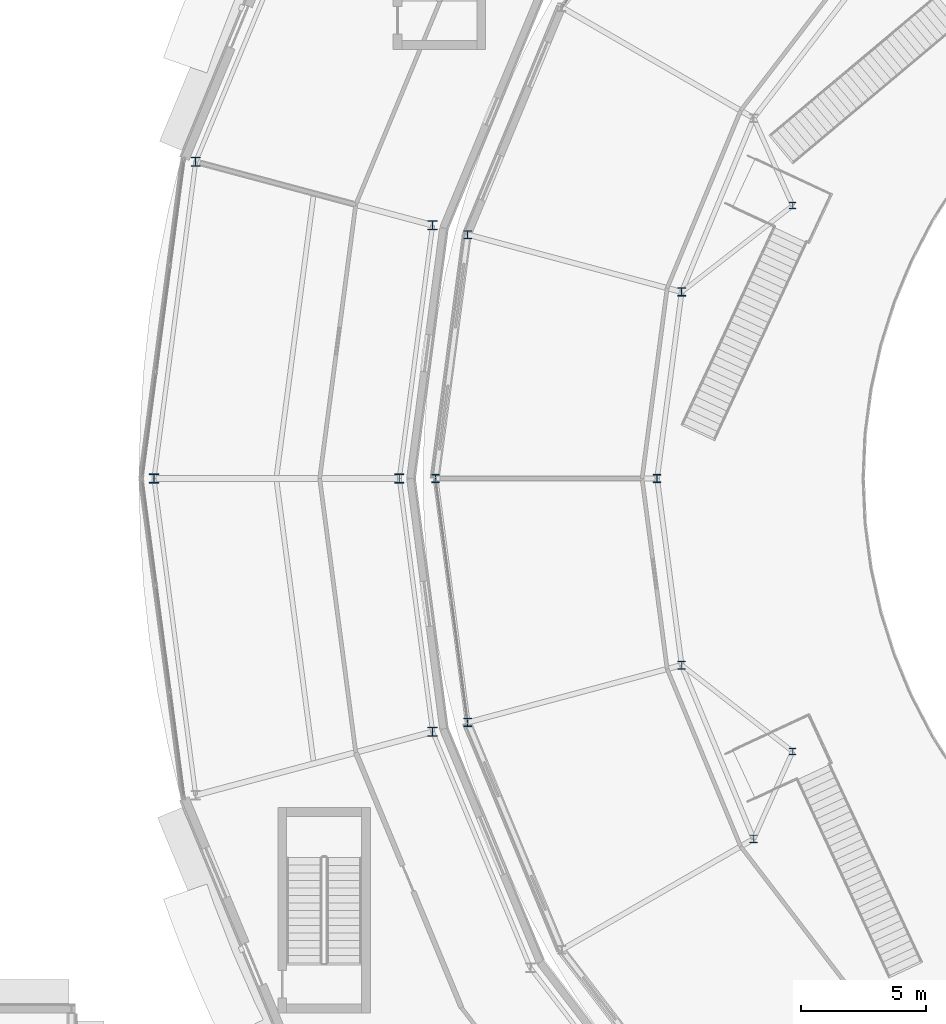
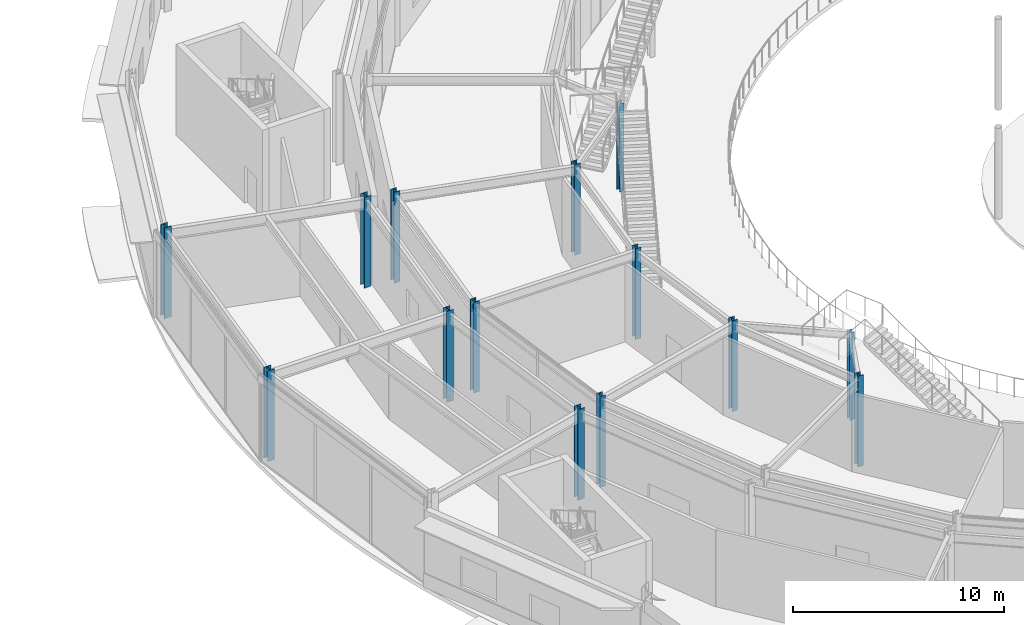
# One storey, part 4 of 168: 14 columns.
"""IFC4 building model written with IfcOpenShell, lengths in metres."""

import ifcopenshell
import ifcopenshell.guid

model = None  # the IFC model being written
_history = None  # IfcOwnerHistory: only IFC2X3 demands one
_inside = {}  # id of a spatial element -> (the spatial element, [elements in it])
_under = {}  # id of a project, library or spatial element -> (it, [spatial elements below it])
_declared = {}  # id of a project -> (the project, [libraries it declares])
_typed = {}  # id of a type object -> (the type object, [elements of that type])
_made_of = {}  # id of a material, layer set ... -> (it, [elements and type objects made of it])


def new_model(schema):
    """Start an empty IFC model of exactly this schema.

    Asked for "IFC4X3", IfcOpenShell would pick the latest addendum, in which some entities
    have other attributes; the version numbers below select the first issue.
    IFC2X3 requires an IfcOwnerHistory on every rooted entity: one is made here for all.
    """
    global model, _history
    if schema == "IFC4X3":
        model = ifcopenshell.file(schema_version=(4, 3, 0, 0))
    else:
        model = ifcopenshell.file(schema=schema)
    _inside.clear()
    _under.clear()
    _declared.clear()
    _typed.clear()
    _made_of.clear()
    _history = None
    if model.schema == "IFC2X3":
        org = make("IfcOrganization", Name="unknown")
        user = make(
            "IfcPersonAndOrganization",
            ThePerson=make("IfcPerson", FamilyName="unknown"),
            TheOrganization=org,
        )
        app = make(
            "IfcApplication",
            ApplicationDeveloper=org,
            Version="unknown",
            ApplicationFullName="unknown",
            ApplicationIdentifier="unknown",
        )
        _history = make(
            "IfcOwnerHistory",
            OwningUser=user,
            OwningApplication=app,
            ChangeAction="ADDED",
            CreationDate=0,
        )
    return model


def make(cls, **values):
    """One entity of the class cls with the attributes given. An attribute that is None is left unset."""
    return model.create_entity(
        cls, **{name: value for name, value in values.items() if value is not None}
    )


def rooted(cls, **values):
    """An entity with a GlobalId (a new one), such as an element, a storey or a relation."""
    return make(cls, GlobalId=ifcopenshell.guid.new(), OwnerHistory=_history, **values)


def si_unit(unit_type, name, prefix=None):
    """IfcSIUnit, for example si_unit("LENGTHUNIT", "METRE", prefix="MILLI")."""
    return make("IfcSIUnit", UnitType=unit_type, Prefix=prefix, Name=name)


def assignment(units):
    """IfcUnitAssignment: the units of a project."""
    return None if units is None else make("IfcUnitAssignment", Units=units)


def point(xyz):
    """IfcCartesianPoint."""
    return None if xyz is None else make("IfcCartesianPoint", Coordinates=xyz)


def direction(xyz):
    """IfcDirection."""
    return None if xyz is None else make("IfcDirection", DirectionRatios=xyz)


def frame(location, z_axis=None, x_axis=None):
    """IfcAxis2Placement3D, a coordinate frame: its origin and axes. An axis left out is left unset."""
    return make(
        "IfcAxis2Placement3D",
        Location=point(location),
        Axis=direction(z_axis),
        RefDirection=direction(x_axis),
    )


def frame_2d(location, x_axis=None):
    """IfcAxis2Placement2D, a coordinate frame in the plane: its origin and x axis."""
    return make(
        "IfcAxis2Placement2D", Location=point(location), RefDirection=direction(x_axis)
    )


def origin():
    """The frame at (0, 0, 0) with its axes left unset."""
    return frame((0.0, 0.0, 0.0))


def origin_2d():
    """The frame at (0, 0) in the plane with its x axis left unset."""
    return frame_2d((0.0, 0.0))


def place(relative_to, where):
    """IfcLocalPlacement: puts the frame where relative to a parent placement (None: the world)."""
    return make(
        "IfcLocalPlacement", PlacementRelTo=relative_to, RelativePlacement=where
    )


def context(
    kind, dimensions, precision=None, world=None, true_north=None, identifier=None
):
    """IfcGeometricRepresentationContext, for example the 3D "Model" context."""
    return make(
        "IfcGeometricRepresentationContext",
        ContextIdentifier=identifier,
        ContextType=kind,
        CoordinateSpaceDimension=dimensions,
        Precision=precision,
        WorldCoordinateSystem=world,
        TrueNorth=true_north,
    )


def subcontext(parent, identifier, kind, view, scale=None):
    """IfcGeometricRepresentationSubContext, for example "Body" below "Model"."""
    return make(
        "IfcGeometricRepresentationSubContext",
        ContextIdentifier=identifier,
        ContextType=kind,
        ParentContext=parent,
        TargetScale=scale,
        TargetView=view,
    )


def project(units=None, contexts=None):
    """IfcProject with its units and contexts."""
    return rooted(
        "IfcProject",
        Name="project",
        RepresentationContexts=contexts,
        UnitsInContext=assignment(units),
    )


def spatial(cls, under=None, at=None, **own):
    """A site, building, storey or space (cls), placed at a placement, below another one or the project."""
    s = rooted(cls, ObjectPlacement=at, **own)
    if under is not None:
        _under.setdefault(under.id(), (under, []))[1].append(s)
    return s


def profile(cls, at=None, kind="AREA", **sizes):
    """A parametric profile (cls). Its sizes go by their IFC names, for example OverallWidth=200.0."""
    return make(cls, ProfileType=kind, Position=at, **sizes)


def i_section(**sizes):
    """IfcIShapeProfileDef."""
    return profile("IfcIShapeProfileDef", **sizes)


def extrude(swept, where, along, depth):
    """IfcExtrudedAreaSolid: the profile swept, set in the frame where, extruded along a direction by depth."""
    return make(
        "IfcExtrudedAreaSolid",
        SweptArea=swept,
        Position=where,
        ExtrudedDirection=direction(along),
        Depth=depth,
    )


def shape(context_of_items, identifier, shape_type, items):
    """IfcShapeRepresentation: the items that make up one representation, for example the "Body"."""
    return make(
        "IfcShapeRepresentation",
        ContextOfItems=context_of_items,
        RepresentationIdentifier=identifier,
        RepresentationType=shape_type,
        Items=items,
    )


def material(Name=None, Category=None):
    """IfcMaterial."""
    return make("IfcMaterial", Name=Name, Category=Category)


def material_profile(
    of_material, cross_section, Name=None, Category=None, Priority=None
):
    """IfcMaterialProfile: a cross section and its material."""
    return make(
        "IfcMaterialProfile",
        Name=Name,
        Material=of_material,
        Profile=cross_section,
        Priority=Priority,
        Category=Category,
    )


def profile_set(profiles, Name=None, composite=None):
    """IfcMaterialProfileSet."""
    return make(
        "IfcMaterialProfileSet",
        Name=Name,
        MaterialProfiles=profiles,
        CompositeProfile=composite,
    )


def made_of(thing, what):
    """Note that an element or type object is made of a material, layer set ...; save() writes the relation."""
    if what is not None:
        _made_of.setdefault(what.id(), (what, []))[1].append(thing)
    return thing


def type_object(cls, material=None, **own):
    """A type object (cls), such as IfcWallType, which elements share."""
    return made_of(rooted(cls, **own), material)


def element(
    cls,
    number,
    at=None,
    inside=None,
    cuts=None,
    type_object=None,
    material=None,
    context=None,
    identifier="Body",
    shape_type=None,
    held_by="IfcProductDefinitionShape",
    body=None,
    shapes=None,
    **own,
):
    """One element of the class cls, such as IfcWall. Its Tag is "e" and its number.

    at: its placement. inside: the storey or other place that contains it. cuts: it is an
    opening in that element (IfcRelVoidsElement). A single representation is given by context,
    identifier, shape_type and body (its items); several are given by shapes. held_by: the class
    of the entity that holds the representations. save() writes the other relations.
    """
    e = rooted(cls, Tag="e%d" % number, ObjectPlacement=at, **own)
    if body is not None:
        shapes = [shape(context, identifier, shape_type, body)]
    if shapes is not None:
        e.Representation = make(held_by, Representations=shapes)
    if inside is not None:
        _inside.setdefault(inside.id(), (inside, []))[1].append(e)
    if cuts is not None:
        rooted(
            "IfcRelVoidsElement", RelatingBuildingElement=cuts, RelatedOpeningElement=e
        )
    if type_object is not None:
        _typed.setdefault(type_object.id(), (type_object, []))[1].append(e)
    return made_of(e, material)


def aggregate(whole, parts):
    """IfcRelAggregates: a whole, such as a stair, and the parts it consists of."""
    return rooted("IfcRelAggregates", RelatingObject=whole, RelatedObjects=parts)


def save(model, path):
    """Write the relations noted so far, then the file.

    IfcRelAggregates (storeys below a building ...), IfcRelContainedInSpatialStructure (elements
    in a storey), IfcRelDefinesByType, IfcRelAssociatesMaterial and IfcRelDeclares: one each for
    every whole, place, type object, material and project.
    """
    for whole, parts in _under.values():
        aggregate(whole, parts)
    for where, things in _inside.values():
        rooted(
            "IfcRelContainedInSpatialStructure",
            RelatedElements=things,
            RelatingStructure=where,
        )
    for kind, things in _typed.values():
        rooted("IfcRelDefinesByType", RelatedObjects=things, RelatingType=kind)
    for what, things in _made_of.values():
        rooted("IfcRelAssociatesMaterial", RelatedObjects=things, RelatingMaterial=what)
    for by, libraries in _declared.values():
        rooted("IfcRelDeclares", RelatingContext=by, RelatedDefinitions=libraries)
    model.write(path)


model = new_model("IFC4")

# Units and contexts
model_context = context("Model", 3, precision=1e-05, world=origin(), true_north=direction((0.0, 1.0)))
body_context = subcontext(model_context, "Body", "Model", "MODEL_VIEW")
ifc_project = project(units=[si_unit("LENGTHUNIT", "METRE"), si_unit("AREAUNIT", "SQUARE_METRE"), si_unit("VOLUMEUNIT", "CUBIC_METRE"), si_unit("PLANEANGLEUNIT", "RADIAN"), si_unit("MASSUNIT", "GRAM", prefix="KILO")], contexts=[model_context])

# Site, building, storey
site_placement = place(None, origin())
site = spatial("IfcSite", under=ifc_project, at=site_placement, CompositionType="ELEMENT")
building_placement = place(site_placement, origin())
building = spatial("IfcBuilding", under=site, at=building_placement, Name="Almandine Court Research Institute", CompositionType="ELEMENT")
storey_placement = place(building_placement, origin())
storey = spatial("IfcBuildingStorey", under=building, at=storey_placement, Name="L00", CompositionType="ELEMENT", Elevation=0.0)

# Columns
ifc_material = material(Name="Steel ASTM A992 Grade 50", Category="steel")
ifc_material_profile_1 = material_profile(ifc_material, i_section(OverallWidth=0.373046875, OverallDepth=0.367919921875, WebThickness=0.01708984375, FlangeThickness=0.027099609375, at=origin_2d()), Name="W360x179")
ifc_profile_set_1 = profile_set([ifc_material_profile_1], Name="Steel ASTM A992 Grade 50")
column_type_1 = type_object("IfcColumnType", Name="Col-C-W03-E", PredefinedType="COLUMN", material=ifc_profile_set_1)
for number, where, z_axis, x_axis, name in (
    (1, (49.23193359375, 66.1201171875, 0.0), (0.0, 0.0, 1.0), (1.0, 0.0, 0.0), "L00 V5 Column V5-IN-S11"),
    (2, (39.76611328125, 68.656005859375, 0.0), (0.0, 0.0, 1.0), (1.0, 0.0, 0.0), "L00 V5 Column V5-OUT-S11"),
    (3, (47.89990234375, 56.0, 0.0), (0.0, 0.0, 1.0), (1.0, 0.0, 0.0), "L00 V5 Column V5-IN-S12"),
    (4, (38.10009765625, 56.0, 0.0), (0.0, 0.0, 1.0), (1.0, 0.0, 0.0), "L00 V5 Column V5-OUT-S12"),
    (5, (49.23193359375, 45.8798828125, 0.0), (0.0, 0.0, 1.0), (1.0, 0.0, 0.0), "L00 V5 Column V5-IN-S13"),
):
    element("IfcColumn", number, at=place(storey_placement, frame(where, z_axis=z_axis, x_axis=x_axis)), inside=storey, type_object=column_type_1, Name=name, PredefinedType="COLUMN", context=body_context, shape_type="SweptSolid", body=[
        extrude(i_section(OverallWidth=0.373046875, OverallDepth=0.367919921875, WebThickness=0.01708984375, FlangeThickness=0.027099609375, at=origin_2d()), origin(), (0.0, 0.0, 1.0), 5.25),
    ])
ifc_material_profile_2 = material_profile(ifc_material, i_section(OverallWidth=0.31005859375, OverallDepth=0.326904296875, WebThickness=0.01611328125, FlangeThickness=0.02490234375, at=origin_2d()), Name="W310x158")
ifc_profile_set_2 = profile_set([ifc_material_profile_2], Name="Steel ASTM A992 Grade 50")
column_type_2 = type_object("IfcColumnType", Name="Col-C-W06", PredefinedType="COLUMN", material=ifc_profile_set_2)
for number, where, z_axis, x_axis, name in (
    (6, (50.633056640625, 65.7451171875, 0.0), (0.0, 0.0, 1.0), (1.0, 0.0, 0.0), "L00 V2 Column V2-OUT-S11"),
    (7, (49.35009765625, 56.0, 0.0), (0.0, 0.0, 1.0), (1.0, 0.0, 0.0), "L00 V2 Column V2-OUT-S12"),
    (8, (50.633056640625, 46.2548828125, 0.0), (0.0, 0.0, 1.0), (1.0, 0.0, 0.0), "L00 V2 Column V2-OUT-S13"),
    (9, (59.180908203125, 63.4541015625, 0.0), (0.0, 0.0, 1.0), (1.0, 0.0, 0.0), "L00 V2 Column V2-MID-S11"),
    (10, (58.199951171875, 56.0, 0.0), (0.0, 0.0, 1.0), (1.0, 0.0, 0.0), "L00 V2 Column V2-MID-S12"),
):
    element("IfcColumn", number, at=place(storey_placement, frame(where, z_axis=z_axis, x_axis=x_axis)), inside=storey, type_object=column_type_2, Name=name, PredefinedType="COLUMN", context=body_context, shape_type="SweptSolid", body=[
        extrude(i_section(OverallWidth=0.31005859375, OverallDepth=0.326904296875, WebThickness=0.01611328125, FlangeThickness=0.02490234375, at=origin_2d()), origin(), (0.0, 0.0, 1.0), 5.25),
    ])
ifc_material_profile_3 = material_profile(ifc_material, i_section(OverallWidth=0.305908203125, OverallDepth=0.31103515625, WebThickness=0.010986328125, FlangeThickness=0.01708984375, at=origin_2d()), Name="W310x107")
ifc_profile_set_3 = profile_set([ifc_material_profile_3], Name="Steel ASTM A992 Grade 50")
column_type_3 = type_object("IfcColumnType", Name="Col-C-W08", PredefinedType="COLUMN", material=ifc_profile_set_3)
for number, where, z_axis, x_axis, name in (
    (11, (59.180908203125, 48.5458984375, 0.0), (0.0, 0.0, 1.0), (1.0, 0.0, 0.0), "L00 V2 Column V2-MID-S13"),
    (12, (62.05810546875, 41.60009765625, 0.0), (0.0, 0.0, 1.0), (1.0, 0.0, 0.0), "L00 V2 Column V2-MID-S14"),
):
    element("IfcColumn", number, at=place(storey_placement, frame(where, z_axis=z_axis, x_axis=x_axis)), inside=storey, type_object=column_type_3, Name=name, PredefinedType="COLUMN", context=body_context, shape_type="SweptSolid", body=[
        extrude(i_section(OverallWidth=0.305908203125, OverallDepth=0.31103515625, WebThickness=0.010986328125, FlangeThickness=0.01708984375, at=origin_2d()), origin(), (0.0, 0.0, 1.0), 5.25),
    ])
ifc_material_profile_4 = material_profile(ifc_material, i_section(OverallWidth=0.257080078125, OverallDepth=0.263916015625, WebThickness=0.011962890625, FlangeThickness=0.02001953125, at=origin_2d()), Name="W250x101")
ifc_profile_set_4 = profile_set([ifc_material_profile_4], Name="Steel ASTM A992 Grade 50")
column_type_4 = type_object("IfcColumnType", Name="Col-C-W09", PredefinedType="COLUMN", material=ifc_profile_set_4)
for number, where, z_axis, x_axis, name in (
    (13, (63.616943359375, 66.904052734375, 0.0), (0.0, 0.0, 1.0), (1.0, 0.0, 0.0), "L00 V2 Column STAT4"),
    (14, (63.616943359375, 45.095947265625, 0.0), (0.0, 0.0, 1.0), (1.0, 0.0, 0.0), "L00 V2 Column STAT5"),
):
    element("IfcColumn", number, at=place(storey_placement, frame(where, z_axis=z_axis, x_axis=x_axis)), inside=storey, type_object=column_type_4, Name=name, PredefinedType="COLUMN", context=body_context, shape_type="SweptSolid", body=[
        extrude(i_section(OverallWidth=0.257080078125, OverallDepth=0.263916015625, WebThickness=0.011962890625, FlangeThickness=0.02001953125, at=origin_2d()), origin(), (0.0, 0.0, 1.0), 5.070068359375),
    ])

save(model, "model.ifc")
